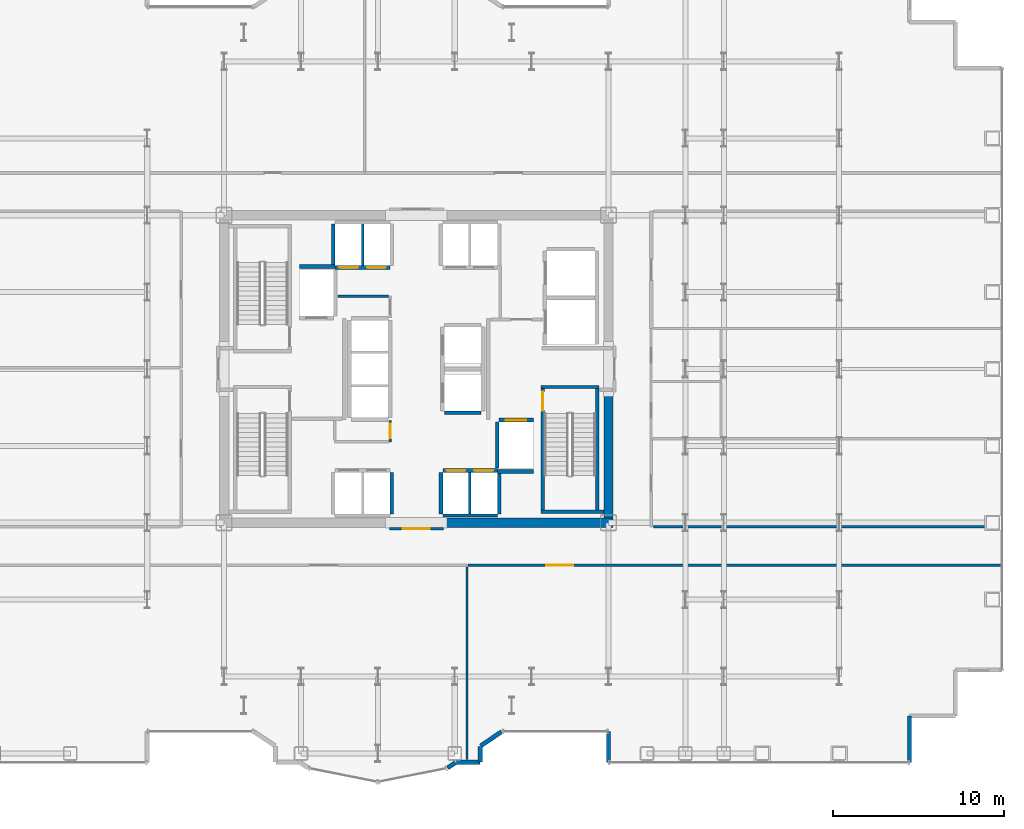
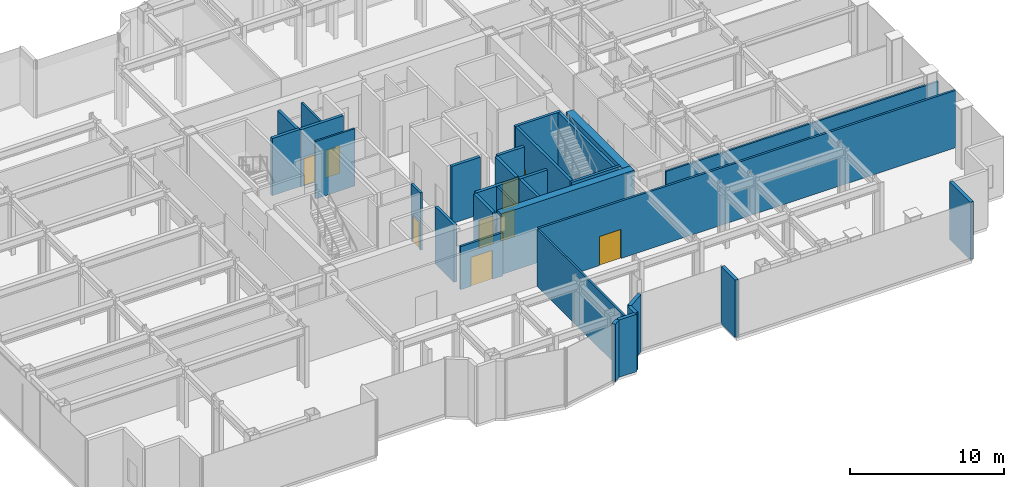
# One storey, part 21 of 27: 32 walls, 9 doors, 9 openings.
"""IFC4 building model written with IfcOpenShell, lengths in metres."""

from ifc_helpers import new_model, si_unit, direction, frame, frame_2d, origin, place, context, subcontext, project, spatial, rectangle, extrude, source, transform, mapped, material, layer, layer_set, type_object, element, fill, save


model = new_model("IFC4")

# Units and contexts
model_context = context("Model", 3, precision=1e-05, world=origin(), true_north=direction((0.0, 1.0)))
body_context = subcontext(model_context, "Body", "Model", "MODEL_VIEW")
ifc_project = project(units=[si_unit("LENGTHUNIT", "METRE"), si_unit("AREAUNIT", "SQUARE_METRE"), si_unit("VOLUMEUNIT", "CUBIC_METRE"), si_unit("PLANEANGLEUNIT", "RADIAN"), si_unit("MASSUNIT", "GRAM", prefix="KILO")], contexts=[model_context])

# Site, building, storey
site_placement = place(None, origin())
site = spatial("IfcSite", under=ifc_project, at=site_placement, CompositionType="ELEMENT")
building_placement = place(site_placement, origin())
building = spatial("IfcBuilding", under=site, at=building_placement, Name="Nefas-Gora Pilgrimage Tower", CompositionType="ELEMENT")
storey_placement = place(building_placement, frame((0.0, 0.0, 144.0)))
storey = spatial("IfcBuildingStorey", under=building, at=storey_placement, Name="L35", CompositionType="ELEMENT", Elevation=144.0)

# Walls
ifc_material_1 = material(Name="Concrete C60/75", Category="concrete")
ifc_layer_1 = layer(ifc_material_1, 0.550048828125)
ifc_layer_set_1 = layer_set([ifc_layer_1], Name="Concrete C60/75")
wall_type_1 = type_object("IfcWallType", Name="SW-CORE-550", PredefinedType="SHEAR", material=ifc_layer_set_1)
shared_shape_1 = source(origin(), body_context, "Body", "SweptSolid", [
    extrude(rectangle(XDim=9.974853515625, YDim=0.550048828125, at=frame_2d((4.9873046875, 0.0))), origin(), (0.0, 0.0, 1.0), 4.800048828125),
])
wall_1_placement = place(storey_placement, frame((1.550048828125, -9.0, 0.0), z_axis=(0.0, 0.0, 1.0), x_axis=(1.0, 0.0, 0.0)))
element("IfcWall", 1, at=wall_1_placement, inside=storey, type_object=wall_type_1, Name="L35 Core Shear Wall S-East", PredefinedType="SHEAR", context=body_context, shape_type="MappedRepresentation", body=[
    mapped(shared_shape_1, transform((0.0, 0.0, 0.0), x_axis=(1.0, 0.0, 0.0), y_axis=(0.0, 1.0, 0.0), z_axis=(0.0, 0.0, 1.0), scale=1.0)),
])
shared_shape_2 = source(origin(), body_context, "Body", "SweptSolid", [
    extrude(rectangle(XDim=7.375, YDim=0.550048828125, at=frame_2d((3.6875, 0.0))), origin(), (0.0, 0.0, 1.0), 4.800048828125),
])
wall_2_placement = place(storey_placement, frame((11.25, -8.72509765625, 0.0), z_axis=(0.0, 0.0, 1.0), x_axis=(0.0, 1.0, 0.0)))
element("IfcWall", 2, at=wall_2_placement, inside=storey, type_object=wall_type_1, Name="L35 Core Shear Wall E-South", PredefinedType="SHEAR", context=body_context, shape_type="MappedRepresentation", body=[
    mapped(shared_shape_2, transform((0.0, 0.0, 0.0), x_axis=(1.0, 0.0, 0.0), y_axis=(0.0, 1.0, 0.0), z_axis=(0.0, 0.0, 1.0), scale=1.0)),
])
ifc_material_2 = material(Name="Precast concrete C40/50", Category="concrete")
ifc_layer_2 = layer(ifc_material_2, 0.260009765625)
ifc_layer_set_2 = layer_set([ifc_layer_2], Name="Precast concrete C40/50")
wall_type_2 = type_object("IfcWallType", Name="EW-PORTAL-260", PredefinedType="SOLIDWALL", material=ifc_layer_set_2)
shared_shape_3 = source(origin(), body_context, "Body", "SweptSolid", [
    extrude(rectangle(XDim=1.800048828125, YDim=0.260009765625, at=frame_2d((0.89990234375, 0.0))), origin(), (0.0, 0.0, 1.0), 4.550048828125),
])
wall_3_placement = place(storey_placement, frame((11.25, -21.219970703125, 0.0), z_axis=(0.0, 0.0, 1.0), x_axis=(0.0, -1.0, 0.0)))
element("IfcWall", 3, at=wall_3_placement, inside=storey, type_object=wall_type_2, Name="L35 Lobe Shoulder Precast Spandrel Pier 1", PredefinedType="SOLIDWALL", context=body_context, shape_type="MappedRepresentation", body=[
    mapped(shared_shape_3, transform((0.0, 0.0, 0.0), x_axis=(1.0, 0.0, 0.0), y_axis=(0.0, 1.0, 0.0), z_axis=(0.0, 0.0, 1.0), scale=1.0)),
])
ifc_material_3 = material(Name="Precast concrete C45/55", Category="concrete")
ifc_layer_3 = layer(ifc_material_3, 0.239990234375)
ifc_layer_set_3 = layer_set([ifc_layer_3], Name="Precast concrete C45/55")
wall_type_3 = type_object("IfcWallType", Name="EW-SERR-240", PredefinedType="SHEAR", material=ifc_layer_set_3)
shared_shape_4 = source(origin(), body_context, "Body", "SweptSolid", [
    extrude(rectangle(XDim=2.699951171875, YDim=0.239990234375, at=frame_2d((1.35009765625, 0.0))), origin(), (0.0, 0.0, 1.0), 4.550048828125),
])
wall_4_placement = place(storey_placement, frame((28.8701171875, -23.02001953125, 0.0), z_axis=(0.0, 0.0, 1.0), x_axis=(0.0, 1.0, 0.0)))
element("IfcWall", 4, at=wall_4_placement, inside=storey, type_object=wall_type_3, Name="L35 Serrated Corner Shear Pier Wall 2", PredefinedType="SHEAR", context=body_context, shape_type="MappedRepresentation", body=[
    mapped(shared_shape_4, transform((0.0, 0.0, 0.0), x_axis=(1.0, 0.0, 0.0), y_axis=(0.0, 1.0, 0.0), z_axis=(0.0, 0.0, 1.0), scale=1.0)),
])
shared_shape_5 = source(origin(), body_context, "Body", "SweptSolid", [
    extrude(rectangle(XDim=1.468994140625, YDim=0.260009765625, at=frame_2d((0.734375, 0.0))), origin(), (0.0, 0.0, 1.0), 4.550048828125),
])
wall_5_placement = place(storey_placement, frame((3.773193359375, -22.0517578125, 0.0), z_axis=(0.0, 0.0, 1.0), x_axis=(0.831461760506, 0.555581983884, 0.0)))
element("IfcWall", 5, at=wall_5_placement, inside=storey, type_object=wall_type_2, Name="L35 Lobe Shoulder Precast Spandrel Pier 36", PredefinedType="SOLIDWALL", context=body_context, shape_type="MappedRepresentation", body=[
    mapped(shared_shape_5, transform((0.0, 0.0, 0.0), x_axis=(1.0, 0.0, 0.0), y_axis=(0.0, 1.0, 0.0), z_axis=(0.0, 0.0, 1.0), scale=1.0)),
])
shared_shape_6 = source(origin(), body_context, "Body", "SweptSolid", [
    extrude(rectangle(XDim=0.896728515625, YDim=0.260009765625, at=frame_2d((0.4482421875, 0.0))), origin(), (0.0, 0.0, 1.0), 4.550048828125),
])
wall_6_placement = place(storey_placement, frame((3.75, -22.991943359375, 0.0), z_axis=(0.0, 0.0, 1.0), x_axis=(0.0, 1.0, 0.0)))
element("IfcWall", 6, at=wall_6_placement, inside=storey, type_object=wall_type_2, Name="L35 Lobe Shoulder Precast Spandrel Pier 35", PredefinedType="SOLIDWALL", context=body_context, shape_type="MappedRepresentation", body=[
    mapped(shared_shape_6, transform((0.0, 0.0, 0.0), x_axis=(1.0, 0.0, 0.0), y_axis=(0.0, 1.0, 0.0), z_axis=(0.0, 0.0, 1.0), scale=1.0)),
])
shared_shape_7 = source(origin(), body_context, "Body", "SweptSolid", [
    extrude(rectangle(XDim=1.369873046875, YDim=0.260009765625, at=frame_2d((0.68505859375, 0.0))), origin(), (0.0, 0.0, 1.0), 4.550048828125),
])
wall_7_placement = place(storey_placement, frame((2.35205078125, -23.02001953125, 0.0), z_axis=(0.0, 0.0, 1.0), x_axis=(1.0, 0.0, 0.0)))
element("IfcWall", 7, at=wall_7_placement, inside=storey, type_object=wall_type_2, Name="L35 Lobe Shoulder Precast Spandrel Pier 34", PredefinedType="SOLIDWALL", context=body_context, shape_type="MappedRepresentation", body=[
    mapped(shared_shape_7, transform((0.0, 0.0, 0.0), x_axis=(1.0, 0.0, 0.0), y_axis=(0.0, 1.0, 0.0), z_axis=(0.0, 0.0, 1.0), scale=1.0)),
])
shared_shape_8 = source(origin(), body_context, "Body", "SweptSolid", [
    extrude(rectangle(XDim=0.5654296875, YDim=0.260009765625, at=frame_2d((0.28271484375, 0.0))), origin(), (0.0, 0.0, 1.0), 4.550048828125),
])
wall_8_placement = place(storey_placement, frame((1.83056640625, -23.349609375, 0.0), z_axis=(0.0, 0.0, 1.0), x_axis=(0.831651492666, 0.555297933317, 0.0)))
element("IfcWall", 8, at=wall_8_placement, inside=storey, type_object=wall_type_2, Name="L35 Lobe Shoulder Precast Spandrel Pier 33", PredefinedType="SOLIDWALL", context=body_context, shape_type="MappedRepresentation", body=[
    mapped(shared_shape_8, transform((0.0, 0.0, 0.0), x_axis=(1.0, 0.0, 0.0), y_axis=(0.0, 1.0, 0.0), z_axis=(0.0, 0.0, 1.0), scale=1.0)),
])
ifc_material_4 = material(Name="Concrete C45/55", Category="concrete")
ifc_layer_4 = layer(ifc_material_4, 0.199951171875)
ifc_layer_set_4 = layer_set([ifc_layer_4], Name="Concrete C45/55")
wall_type_4 = type_object("IfcWallType", Name="IW-STAIR-200", PredefinedType="SOLIDWALL", material=ifc_layer_set_4)
shared_shape_9 = source(origin(), body_context, "Body", "SweptSolid", [
    extrude(rectangle(XDim=3.39990234375, YDim=0.199951171875, at=frame_2d((1.699951171875, 0.0))), origin(), (0.0, 0.0, 1.0), 4.800048828125),
])
wall_9_placement = place(storey_placement, frame((7.300048828125, -1.050048828125, 0.0), z_axis=(0.0, 0.0, 1.0), x_axis=(1.0, 0.0, 0.0)))
element("IfcWall", 9, at=wall_9_placement, inside=storey, type_object=wall_type_4, Name="L35 Stairwell Shear Wall ST-02-near", PredefinedType="SOLIDWALL", context=body_context, shape_type="MappedRepresentation", body=[
    mapped(shared_shape_9, transform((0.0, 0.0, 0.0), x_axis=(1.0, 0.0, 0.0), y_axis=(0.0, 1.0, 0.0), z_axis=(0.0, 0.0, 1.0), scale=1.0)),
])
shared_shape_10 = source(origin(), body_context, "Body", "SweptSolid", [
    extrude(rectangle(XDim=3.679931640625, YDim=0.199951171875, at=frame_2d((1.83984375, 0.0))), origin(), (0.0, 0.0, 1.0), 4.800048828125),
])
wall_10_placement = place(storey_placement, frame((7.300048828125, -8.35009765625, 0.0), z_axis=(0.0, 0.0, 1.0), x_axis=(1.0, 0.0, 0.0)))
element("IfcWall", 10, at=wall_10_placement, inside=storey, type_object=wall_type_4, Name="L35 Stairwell Shear Wall ST-02-far", PredefinedType="SOLIDWALL", context=body_context, shape_type="MappedRepresentation", body=[
    mapped(shared_shape_10, transform((0.0, 0.0, 0.0), x_axis=(1.0, 0.0, 0.0), y_axis=(0.0, 1.0, 0.0), z_axis=(0.0, 0.0, 1.0), scale=1.0)),
])

# Wall, opening, door
shared_shape_11 = source(origin(), body_context, "Body", "SweptSolid", [
    extrude(rectangle(XDim=7.10009765625, YDim=0.199951171875, at=frame_2d((3.550048828125, 0.0))), origin(), (0.0, 0.0, 1.0), 4.800048828125),
])
wall_11_placement = place(storey_placement, frame((7.39990234375, -1.14990234375, 0.0), z_axis=(0.0, 0.0, 1.0), x_axis=(0.0, -1.0, 0.0)))
wall_11 = element("IfcWall", 11, at=wall_11_placement, inside=storey, type_object=wall_type_4, Name="L35 Stairwell Shear Wall ST-02-left", PredefinedType="SOLIDWALL", context=body_context, shape_type="MappedRepresentation", body=[
    mapped(shared_shape_11, transform((0.0, 0.0, 0.0), x_axis=(1.0, 0.0, 0.0), y_axis=(0.0, 1.0, 0.0), z_axis=(0.0, 0.0, 1.0), scale=1.0)),
])
opening_1_placement = place(wall_11_placement, frame((0.179931640625, 0.0, 0.0)))
opening_1 = element("IfcOpeningElement", 12, at=opening_1_placement, cuts=wall_11, Name="Opening ID-ST1", PredefinedType="OPENING", context=body_context, shape_type="SweptSolid", body=[
    extrude(rectangle(XDim=1.10009765625, YDim=2.14990234375, at=frame_2d((0.550048828125, 1.074951171875))), frame((0.0, 0.10986328125, 0.0), z_axis=(0.0, -1.0, 0.0), x_axis=(1.0, 0.0, 0.0)), (0.0, 0.0, 1.0), 0.219970703125),
])
ifc_material_5 = material(Name="Painted galvanised steel fire stair door", Category="steel")
door_type_1 = type_object("IfcDoorType", Name="DR-INT-STAIR-1100", OperationType="NOTDEFINED", PredefinedType="DOOR", material=ifc_material_5)
shared_shape_12 = source(origin(), body_context, "Body", "SweptSolid", [
    extrude(rectangle(XDim=1.10009765625, YDim=2.14990234375, at=frame_2d((0.550048828125, 1.074951171875))), frame((0.0, 0.02490234375, 0.0), z_axis=(0.0, -1.0, 0.0), x_axis=(1.0, 0.0, 0.0)), (0.0, 0.0, 1.0), 0.050048828125),
])
door_1_placement = place(opening_1_placement, origin())
door_1 = element("IfcDoor", 13, at=door_1_placement, inside=storey, type_object=door_type_1, Name="L35 Protected Exit Stair Door ST-02", OperationType="SINGLE_SWING_RIGHT", OverallHeight=2.14990234375, OverallWidth=1.10009765625, PredefinedType="DOOR", context=body_context, shape_type="MappedRepresentation", body=[
    mapped(shared_shape_12, transform((0.0, 0.0, 0.0), x_axis=(1.0, 0.0, 0.0), y_axis=(0.0, 1.0, 0.0), z_axis=(0.0, 0.0, 1.0), scale=1.0)),
])
fill(opening_1, door_1)

# Wall
wall_12_placement = place(storey_placement, frame((10.60009765625, -1.14990234375, 0.0), z_axis=(0.0, 0.0, 1.0), x_axis=(0.0, -1.0, 0.0)))
element("IfcWall", 14, at=wall_12_placement, inside=storey, type_object=wall_type_4, Name="L35 Stairwell Shear Wall ST-02-right", PredefinedType="SOLIDWALL", context=body_context, shape_type="MappedRepresentation", body=[
    mapped(shared_shape_11, transform((0.0, 0.0, 0.0), x_axis=(1.0, 0.0, 0.0), y_axis=(0.0, 1.0, 0.0), z_axis=(0.0, 0.0, 1.0), scale=1.0)),
])

# Wall, opening, door
ifc_material_6 = material(Name="Concrete C40/50", Category="concrete")
ifc_layer_5 = layer(ifc_material_6, 0.219970703125)
ifc_layer_set_5 = layer_set([ifc_layer_5], Name="Concrete C40/50")
wall_type_5 = type_object("IfcWallType", Name="IW-SHAFT-220", PredefinedType="SOLIDWALL", material=ifc_layer_set_5)
shared_shape_13 = source(origin(), body_context, "Body", "SweptSolid", [
    extrude(rectangle(XDim=2.0, YDim=0.219970703125, at=frame_2d((1.0, 0.0))), origin(), (0.0, 0.0, 1.0), 4.534912109375),
])
wall_13_placement = place(storey_placement, frame((6.85009765625, -2.989990234375, 0.0), z_axis=(0.0, 0.0, 1.0), x_axis=(-1.0, 0.0, 0.0)))
wall_13 = element("IfcWall", 15, at=wall_13_placement, inside=storey, type_object=wall_type_5, Name="L35 Hoistway Wall FFL-02-N", PredefinedType="SOLIDWALL", context=body_context, shape_type="MappedRepresentation", body=[
    mapped(shared_shape_13, transform((0.0, 0.0, 0.0), x_axis=(1.0, 0.0, 0.0), y_axis=(0.0, 1.0, 0.0), z_axis=(0.0, 0.0, 1.0), scale=1.0)),
])
opening_2_placement = place(wall_13_placement, frame((0.39990234375, 0.0, 0.0)))
opening_2 = element("IfcOpeningElement", 16, at=opening_2_placement, cuts=wall_13, Name="Opening LD-FF", PredefinedType="OPENING", context=body_context, shape_type="SweptSolid", body=[
    extrude(rectangle(XDim=1.199951171875, YDim=2.199951171875, at=frame_2d((0.60009765625, 1.10009765625))), frame((0.0, 0.119873046875, 0.0), z_axis=(0.0, -1.0, 0.0), x_axis=(1.0, 0.0, 0.0)), (0.0, 0.0, 1.0), 0.239990234375),
])
ifc_material_7 = material(Name="Fire-service sliding lift landing door")
door_type_2 = type_object("IfcDoorType", Name="DR-LIFT-FSAE-1200", OperationType="SLIDING_TO_LEFT", PredefinedType="DOOR", material=ifc_material_7)
shared_shape_14 = source(origin(), body_context, "Body", "SweptSolid", [
    extrude(rectangle(XDim=1.199951171875, YDim=2.199951171875, at=frame_2d((0.60009765625, 1.10009765625))), frame((0.0, 0.02490234375, 0.0), z_axis=(0.0, -1.0, 0.0), x_axis=(1.0, 0.0, 0.0)), (0.0, 0.0, 1.0), 0.050048828125),
])
door_2_placement = place(opening_2_placement, origin())
door_2 = element("IfcDoor", 17, at=door_2_placement, inside=storey, type_object=door_type_2, Name="L35 Sliding Lift Landing Door FFL-02", OperationType="SLIDING_TO_LEFT", OverallHeight=2.199951171875, OverallWidth=1.199951171875, PredefinedType="DOOR", context=body_context, shape_type="MappedRepresentation", body=[
    mapped(shared_shape_14, transform((0.0, 0.0, 0.0), x_axis=(1.0, 0.0, 0.0), y_axis=(0.0, 1.0, 0.0), z_axis=(0.0, 0.0, 1.0), scale=1.0)),
])
fill(opening_2, door_2)

# Wall
shared_shape_15 = source(origin(), body_context, "Body", "SweptSolid", [
    extrude(rectangle(XDim=2.679931640625, YDim=0.219970703125, at=frame_2d((1.33984375, 0.0))), origin(), (0.0, 0.0, 1.0), 4.534912109375),
])
wall_14_placement = place(storey_placement, frame((4.739990234375, -3.110107421875, 0.0), z_axis=(0.0, 0.0, 1.0), x_axis=(0.0, -1.0, 0.0)))
element("IfcWall", 18, at=wall_14_placement, inside=storey, type_object=wall_type_5, Name="L35 Hoistway Wall FFL-02-W", PredefinedType="SOLIDWALL", context=body_context, shape_type="MappedRepresentation", body=[
    mapped(shared_shape_15, transform((0.0, 0.0, 0.0), x_axis=(1.0, 0.0, 0.0), y_axis=(0.0, 1.0, 0.0), z_axis=(0.0, 0.0, 1.0), scale=1.0)),
])

# Wall, openings, doors
shared_shape_16 = source(origin(), body_context, "Body", "SweptSolid", [
    extrude(rectangle(XDim=3.199951171875, YDim=0.219970703125, at=frame_2d((1.60009765625, 0.0))), origin(), (0.0, 0.0, 1.0), 4.534912109375),
])
wall_15_placement = place(storey_placement, frame((-4.75, 5.93994140625, 0.0), z_axis=(0.0, 0.0, 1.0), x_axis=(1.0, 0.0, 0.0)))
wall_15 = element("IfcWall", 19, at=wall_15_placement, inside=storey, type_object=wall_type_5, Name="L35 Hoistway Wall PL1-W-S", PredefinedType="SOLIDWALL", context=body_context, shape_type="MappedRepresentation", body=[
    mapped(shared_shape_16, transform((0.0, 0.0, 0.0), x_axis=(1.0, 0.0, 0.0), y_axis=(0.0, 1.0, 0.0), z_axis=(0.0, 0.0, 1.0), scale=1.0)),
])
opening_3_placement = place(wall_15_placement, frame((0.25, 0.0, 0.0)))
opening_3 = element("IfcOpeningElement", 20, at=opening_3_placement, cuts=wall_15, Name="Opening LD-01", PredefinedType="OPENING", context=body_context, shape_type="SweptSolid", body=[
    extrude(rectangle(XDim=1.10009765625, YDim=2.199951171875, at=frame_2d((0.550048828125, 1.10009765625))), frame((0.0, 0.119873046875, 0.0), z_axis=(0.0, -1.0, 0.0), x_axis=(1.0, 0.0, 0.0)), (0.0, 0.0, 1.0), 0.239990234375),
])
opening_4_placement = place(wall_15_placement, frame((1.875, 0.0, 0.0)))
opening_4 = element("IfcOpeningElement", 21, at=opening_4_placement, cuts=wall_15, Name="Opening LD-01", PredefinedType="OPENING", context=body_context, shape_type="SweptSolid", body=[
    extrude(rectangle(XDim=1.10009765625, YDim=2.199951171875, at=frame_2d((0.550048828125, 1.10009765625))), frame((0.0, 0.119873046875, 0.0), z_axis=(0.0, -1.0, 0.0), x_axis=(1.0, 0.0, 0.0)), (0.0, 0.0, 1.0), 0.239990234375),
])
ifc_material_8 = material(Name="Brushed stainless sliding lift landing door")
door_type_3 = type_object("IfcDoorType", Name="DR-LIFT-PASS-1100", OperationType="DOUBLE_DOOR_SLIDING", PredefinedType="DOOR", material=ifc_material_8)
shared_shape_17 = source(origin(), body_context, "Body", "SweptSolid", [
    extrude(rectangle(XDim=1.10009765625, YDim=2.199951171875, at=frame_2d((0.550048828125, 1.10009765625))), frame((0.0, 0.02490234375, 0.0), z_axis=(0.0, -1.0, 0.0), x_axis=(1.0, 0.0, 0.0)), (0.0, 0.0, 1.0), 0.050048828125),
])
door_3_placement = place(opening_3_placement, origin())
door_3 = element("IfcDoor", 22, at=door_3_placement, inside=storey, type_object=door_type_3, Name="L35 Sliding Lift Landing Door PL1-01", OperationType="DOUBLE_DOOR_SLIDING", OverallHeight=2.199951171875, OverallWidth=1.10009765625, PredefinedType="DOOR", context=body_context, shape_type="MappedRepresentation", body=[
    mapped(shared_shape_17, transform((0.0, 0.0, 0.0), x_axis=(1.0, 0.0, 0.0), y_axis=(0.0, 1.0, 0.0), z_axis=(0.0, 0.0, 1.0), scale=1.0)),
])
fill(opening_3, door_3)
door_4_placement = place(opening_4_placement, origin())
door_4 = element("IfcDoor", 23, at=door_4_placement, inside=storey, type_object=door_type_3, Name="L35 Sliding Lift Landing Door PL1-02", OperationType="DOUBLE_DOOR_SLIDING", OverallHeight=2.199951171875, OverallWidth=1.10009765625, PredefinedType="DOOR", context=body_context, shape_type="MappedRepresentation", body=[
    mapped(shared_shape_17, transform((0.0, 0.0, 0.0), x_axis=(1.0, 0.0, 0.0), y_axis=(0.0, 1.0, 0.0), z_axis=(0.0, 0.0, 1.0), scale=1.0)),
])
fill(opening_4, door_4)

wall_16_placement = place(storey_placement, frame((4.75, -5.93994140625, 0.0), z_axis=(0.0, 0.0, 1.0), x_axis=(-1.0, 0.0, 0.0)))
wall_16 = element("IfcWall", 24, at=wall_16_placement, inside=storey, type_object=wall_type_5, Name="L35 Hoistway Wall PL2-E-N", PredefinedType="SOLIDWALL", context=body_context, shape_type="MappedRepresentation", body=[
    mapped(shared_shape_16, transform((0.0, 0.0, 0.0), x_axis=(1.0, 0.0, 0.0), y_axis=(0.0, 1.0, 0.0), z_axis=(0.0, 0.0, 1.0), scale=1.0)),
])
opening_5_placement = place(wall_16_placement, frame((1.875, 0.0, 0.0)))
opening_5 = element("IfcOpeningElement", 25, at=opening_5_placement, cuts=wall_16, Name="Opening LD-01", PredefinedType="OPENING", context=body_context, shape_type="SweptSolid", body=[
    extrude(rectangle(XDim=1.10009765625, YDim=2.199951171875, at=frame_2d((0.550048828125, 1.10009765625))), frame((0.0, 0.119873046875, 0.0), z_axis=(0.0, -1.0, 0.0), x_axis=(1.0, 0.0, 0.0)), (0.0, 0.0, 1.0), 0.239990234375),
])
opening_6_placement = place(wall_16_placement, frame((0.25, 0.0, 0.0)))
opening_6 = element("IfcOpeningElement", 26, at=opening_6_placement, cuts=wall_16, Name="Opening LD-01", PredefinedType="OPENING", context=body_context, shape_type="SweptSolid", body=[
    extrude(rectangle(XDim=1.10009765625, YDim=2.199951171875, at=frame_2d((0.550048828125, 1.10009765625))), frame((0.0, 0.119873046875, 0.0), z_axis=(0.0, -1.0, 0.0), x_axis=(1.0, 0.0, 0.0)), (0.0, 0.0, 1.0), 0.239990234375),
])
door_5_placement = place(opening_5_placement, origin())
door_5 = element("IfcDoor", 27, at=door_5_placement, inside=storey, type_object=door_type_3, Name="L35 Sliding Lift Landing Door PL2-03", OperationType="DOUBLE_DOOR_SLIDING", OverallHeight=2.199951171875, OverallWidth=1.10009765625, PredefinedType="DOOR", context=body_context, shape_type="MappedRepresentation", body=[
    mapped(shared_shape_17, transform((0.0, 0.0, 0.0), x_axis=(1.0, 0.0, 0.0), y_axis=(0.0, 1.0, 0.0), z_axis=(0.0, 0.0, 1.0), scale=1.0)),
])
fill(opening_5, door_5)
door_6_placement = place(opening_6_placement, origin())
door_6 = element("IfcDoor", 28, at=door_6_placement, inside=storey, type_object=door_type_3, Name="L35 Sliding Lift Landing Door PL2-04", OperationType="DOUBLE_DOOR_SLIDING", OverallHeight=2.199951171875, OverallWidth=1.10009765625, PredefinedType="DOOR", context=body_context, shape_type="MappedRepresentation", body=[
    mapped(shared_shape_17, transform((0.0, 0.0, 0.0), x_axis=(1.0, 0.0, 0.0), y_axis=(0.0, 1.0, 0.0), z_axis=(0.0, 0.0, 1.0), scale=1.0)),
])
fill(opening_6, door_6)

# Walls
ifc_material_9 = material(Name="Gypsum acoustic stud partition")
ifc_layer_6 = layer(ifc_material_9, 0.159912109375)
ifc_layer_set_6 = layer_set([ifc_layer_6], Name="Gypsum acoustic stud partition")
wall_type_6 = type_object("IfcWallType", Name="IW-CORR-160", PredefinedType="PARTITIONING", material=ifc_layer_set_6)
shared_shape_18 = source(origin(), body_context, "Body", "SweptSolid", [
    extrude(rectangle(XDim=3.199951171875, YDim=0.159912109375, at=frame_2d((1.60009765625, 0.0))), origin(), (0.0, 0.0, 1.0), 3.425048828125),
])
wall_17_placement = place(storey_placement, frame((1.550048828125, -8.580078125, 0.0), z_axis=(0.0, 0.0, 1.0), x_axis=(1.0, 0.0, 0.0)))
element("IfcWall", 29, at=wall_17_placement, inside=storey, type_object=wall_type_6, Name="L35 Hoistway Wall PL2-E-S", PredefinedType="PARTITIONING", context=body_context, shape_type="MappedRepresentation", body=[
    mapped(shared_shape_18, transform((0.0, 0.0, 0.0), x_axis=(1.0, 0.0, 0.0), y_axis=(0.0, 1.0, 0.0), z_axis=(0.0, 0.0, 1.0), scale=1.0)),
])
shared_shape_19 = source(origin(), body_context, "Body", "SweptSolid", [
    extrude(rectangle(XDim=2.429931640625, YDim=0.219970703125, at=frame_2d((1.21484375, 0.0))), origin(), (0.0, 0.0, 1.0), 4.534912109375),
])
for number, where, z_axis, x_axis, name in (
    (30, (-4.860107421875, 8.489990234375, 0.0), (0.0, 0.0, 1.0), (0.0, -1.0, 0.0), "L35 Hoistway Wall PL1-W-W"),
    (31, (-1.43994140625, -8.489990234375, 0.0), (0.0, 0.0, 1.0), (0.0, 1.0, 0.0), "L35 Hoistway Wall PL2-W-E"),
    (32, (1.43994140625, -6.06005859375, 0.0), (0.0, 0.0, 1.0), (0.0, -1.0, 0.0), "L35 Hoistway Wall PL2-E-W"),
    (33, (4.860107421875, -8.489990234375, 0.0), (0.0, 0.0, 1.0), (0.0, 1.0, 0.0), "L35 Hoistway Wall PL2-E-E"),
):
    element("IfcWall", number, at=place(storey_placement, frame(where, z_axis=z_axis, x_axis=x_axis)), inside=storey, type_object=wall_type_5, Name=name, PredefinedType="SOLIDWALL", context=body_context, shape_type="MappedRepresentation", body=[
        mapped(shared_shape_19, transform((0.0, 0.0, 0.0), x_axis=(1.0, 0.0, 0.0), y_axis=(0.0, 1.0, 0.0), z_axis=(0.0, 0.0, 1.0), scale=1.0)),
    ])
ifc_material_10 = material(Name="Gypsum twin-stud partition")
ifc_layer_7 = layer(ifc_material_10, 0.139892578125)
ifc_layer_set_7 = layer_set([ifc_layer_7], Name="Gypsum twin-stud partition")
wall_type_7 = type_object("IfcWallType", Name="IW-UNIT-140", PredefinedType="PARTITIONING", material=ifc_layer_set_7)
shared_shape_20 = source(origin(), body_context, "Body", "SweptSolid", [
    extrude(rectangle(XDim=2.429931640625, YDim=0.139892578125, at=frame_2d((1.21484375, 0.0))), origin(), (0.0, 0.0, 1.0), 4.534912109375),
])
for number, where, z_axis, x_axis, name in (
    (34, (-3.125, 6.06005859375, 0.0), (0.0, 0.0, 1.0), (0.0, 1.0, 0.0), "L35 Hoistway Wall PL1-W-DIV"),
    (35, (3.125, -8.489990234375, 0.0), (0.0, 0.0, 1.0), (0.0, 1.0, 0.0), "L35 Hoistway Wall PL2-E-DIV"),
):
    element("IfcWall", number, at=place(storey_placement, frame(where, z_axis=z_axis, x_axis=x_axis)), inside=storey, type_object=wall_type_7, Name=name, PredefinedType="PARTITIONING", context=body_context, shape_type="MappedRepresentation", body=[
        mapped(shared_shape_20, transform((0.0, 0.0, 0.0), x_axis=(1.0, 0.0, 0.0), y_axis=(0.0, 1.0, 0.0), z_axis=(0.0, 0.0, 1.0), scale=1.0)),
    ])
shared_shape_21 = source(origin(), body_context, "Body", "SweptSolid", [
    extrude(rectangle(XDim=2.130126953125, YDim=0.219970703125, at=frame_2d((1.06494140625, 0.0))), origin(), (0.0, 0.0, 1.0), 4.534912109375),
])
wall_18_placement = place(storey_placement, frame((1.659912109375, -2.56005859375, 0.0), z_axis=(0.0, 0.0, 1.0), x_axis=(1.0, 0.0, 0.0)))
element("IfcWall", 36, at=wall_18_placement, inside=storey, type_object=wall_type_5, Name="L35 Hoistway Wall OBS-01-S", PredefinedType="SOLIDWALL", context=body_context, shape_type="MappedRepresentation", body=[
    mapped(shared_shape_21, transform((0.0, 0.0, 0.0), x_axis=(1.0, 0.0, 0.0), y_axis=(0.0, 1.0, 0.0), z_axis=(0.0, 0.0, 1.0), scale=1.0)),
])
shared_shape_22 = source(origin(), body_context, "Body", "SweptSolid", [
    extrude(rectangle(XDim=2.09521484375, YDim=0.219970703125, at=frame_2d((1.047607421875, 0.0))), origin(), (0.0, 0.0, 1.0), 4.534912109375),
])
for number, where, z_axis, x_axis, name in (
    (37, (-6.85009765625, 6.0, 0.0), (0.0, 0.0, 1.0), (1.0, 0.0, 0.0), "L35 Riser Shaft Wall 1"),
    (38, (4.7548828125, -6.0, 0.0), (0.0, 0.0, 1.0), (1.0, 0.0, 0.0), "L35 Riser Shaft Wall 2"),
):
    element("IfcWall", number, at=place(storey_placement, frame(where, z_axis=z_axis, x_axis=x_axis)), inside=storey, type_object=wall_type_5, Name=name, PredefinedType="SOLIDWALL", context=body_context, shape_type="MappedRepresentation", body=[
        mapped(shared_shape_22, transform((0.0, 0.0, 0.0), x_axis=(1.0, 0.0, 0.0), y_axis=(0.0, 1.0, 0.0), z_axis=(0.0, 0.0, 1.0), scale=1.0)),
    ])

# Wall, opening, door
shared_shape_23 = source(origin(), body_context, "Body", "SweptSolid", [
    extrude(rectangle(XDim=3.16015625, YDim=0.159912109375, at=frame_2d((1.580078125, 0.0))), origin(), (0.0, 0.0, 1.0), 3.425048828125),
])
wall_19_placement = place(storey_placement, frame((-1.580078125, -9.35009765625, 0.0), z_axis=(0.0, 0.0, 1.0), x_axis=(1.0, 0.0, 0.0)))
wall_19 = element("IfcWall", 39, at=wall_19_placement, inside=storey, type_object=wall_type_6, Name="L35 Central Lift Lobby South Portal Wall 14", PredefinedType="PARTITIONING", context=body_context, shape_type="MappedRepresentation", body=[
    mapped(shared_shape_23, transform((0.0, 0.0, 0.0), x_axis=(1.0, 0.0, 0.0), y_axis=(0.0, 1.0, 0.0), z_axis=(0.0, 0.0, 1.0), scale=1.0)),
])
opening_7_placement = place(wall_19_placement, frame((0.780029296875, 0.0, 0.0)))
opening_7 = element("IfcOpeningElement", 40, at=opening_7_placement, cuts=wall_19, Name="Opening ID-HL1", PredefinedType="OPENING", context=body_context, shape_type="SweptSolid", body=[
    extrude(rectangle(XDim=1.60009765625, YDim=2.300048828125, at=frame_2d((0.800048828125, 1.14990234375))), frame((0.0, 0.08984375, 0.0), z_axis=(0.0, -1.0, 0.0), x_axis=(1.0, 0.0, 0.0)), (0.0, 0.0, 1.0), 0.179931640625),
])
ifc_material_11 = material(Name="Double acoustic timber assembly hall door", Category="wood")
door_type_4 = type_object("IfcDoorType", Name="DR-INT-HALL-1600", OperationType="DOUBLE_DOOR_SINGLE_SWING", PredefinedType="DOOR", material=ifc_material_11)
shared_shape_24 = source(origin(), body_context, "Body", "SweptSolid", [
    extrude(rectangle(XDim=1.60009765625, YDim=2.300048828125, at=frame_2d((0.800048828125, 1.14990234375))), frame((0.0, 0.02490234375, 0.0), z_axis=(0.0, -1.0, 0.0), x_axis=(1.0, 0.0, 0.0)), (0.0, 0.0, 1.0), 0.050048828125),
])
door_7_placement = place(opening_7_placement, origin())
door_7 = element("IfcDoor", 41, at=door_7_placement, inside=storey, type_object=door_type_4, Name="L35 Central Lift Lobby South Portal Door 5", OperationType="DOUBLE_DOOR_SINGLE_SWING", OverallHeight=2.300048828125, OverallWidth=1.60009765625, PredefinedType="DOOR", context=body_context, shape_type="MappedRepresentation", body=[
    mapped(shared_shape_24, transform((0.0, 0.0, 0.0), x_axis=(1.0, 0.0, 0.0), y_axis=(0.0, 1.0, 0.0), z_axis=(0.0, 0.0, 1.0), scale=1.0)),
])
fill(opening_7, door_7)

shared_shape_25 = source(origin(), body_context, "Body", "SweptSolid", [
    extrude(rectangle(XDim=1.25, YDim=0.159912109375, at=frame_2d((0.625, 0.0))), origin(), (0.0, 0.0, 1.0), 4.534912109375),
])
wall_20_placement = place(storey_placement, frame((-1.52001953125, -4.260009765625, 0.0), z_axis=(0.0, 0.0, 1.0), x_axis=(0.0, 1.0, 0.0)))
wall_20 = element("IfcWall", 42, at=wall_20_placement, inside=storey, type_object=wall_type_6, Name="L35 Pilgrim Baggage and Gear Vault Wall 18", PredefinedType="PARTITIONING", context=body_context, shape_type="MappedRepresentation", body=[
    mapped(shared_shape_25, transform((0.0, 0.0, 0.0), x_axis=(1.0, 0.0, 0.0), y_axis=(0.0, 1.0, 0.0), z_axis=(0.0, 0.0, 1.0), scale=1.0)),
])
opening_8_placement = place(wall_20_placement, frame((0.199951171875, 0.0, 0.0)))
opening_8 = element("IfcOpeningElement", 43, at=opening_8_placement, cuts=wall_20, Name="Opening ID-BT1", PredefinedType="OPENING", context=body_context, shape_type="SweptSolid", body=[
    extrude(rectangle(XDim=0.85009765625, YDim=2.10009765625, at=frame_2d((0.425048828125, 1.050048828125))), frame((0.0, 0.08984375, 0.0), z_axis=(0.0, -1.0, 0.0), x_axis=(1.0, 0.0, 0.0)), (0.0, 0.0, 1.0), 0.179931640625),
])
ifc_material_12 = material(Name="Moisture-resistant fire-rated timber door", Category="wood")
door_type_5 = type_object("IfcDoorType", Name="DR-INT-BATH-850", OperationType="NOTDEFINED", PredefinedType="DOOR", material=ifc_material_12)
shared_shape_26 = source(origin(), body_context, "Body", "SweptSolid", [
    extrude(rectangle(XDim=0.85009765625, YDim=2.10009765625, at=frame_2d((0.425048828125, 1.050048828125))), frame((0.0, 0.02490234375, 0.0), z_axis=(0.0, -1.0, 0.0), x_axis=(1.0, 0.0, 0.0)), (0.0, 0.0, 1.0), 0.050048828125),
])
door_8_placement = place(opening_8_placement, origin())
door_8 = element("IfcDoor", 44, at=door_8_placement, inside=storey, type_object=door_type_5, Name="L35 Pilgrim Baggage and Gear Vault Door 7", OperationType="SINGLE_SWING_LEFT", OverallHeight=2.10009765625, OverallWidth=0.85009765625, PredefinedType="DOOR", context=body_context, shape_type="MappedRepresentation", body=[
    mapped(shared_shape_26, transform((0.0, 0.0, 0.0), x_axis=(1.0, 0.0, 0.0), y_axis=(0.0, 1.0, 0.0), z_axis=(0.0, 0.0, 1.0), scale=1.0)),
])
fill(opening_8, door_8)

# Wall
shared_shape_27 = source(origin(), body_context, "Body", "SweptSolid", [
    extrude(rectangle(XDim=2.9501953125, YDim=0.139892578125, at=frame_2d((1.47509765625, 0.0))), origin(), (0.0, 0.0, 1.0), 4.534912109375),
])
wall_21_placement = place(storey_placement, frame((-4.590087890625, 4.25, 0.0), z_axis=(0.0, 0.0, 1.0), x_axis=(1.0, 0.0, 0.0)))
element("IfcWall", 45, at=wall_21_placement, inside=storey, type_object=wall_type_7, Name="L35 Housekeeping and Linen Store Partition Wall 17", PredefinedType="PARTITIONING", context=body_context, shape_type="MappedRepresentation", body=[
    mapped(shared_shape_27, transform((0.0, 0.0, 0.0), x_axis=(1.0, 0.0, 0.0), y_axis=(0.0, 1.0, 0.0), z_axis=(0.0, 0.0, 1.0), scale=1.0)),
])

# Wall, opening, door
shared_shape_28 = source(origin(), body_context, "Body", "SweptSolid", [
    extrude(rectangle(XDim=31.27001953125, YDim=0.159912109375, at=frame_2d((15.635009765625, 0.0))), origin(), (0.0, 0.0, 1.0), 4.534912109375),
])
wall_22_placement = place(storey_placement, frame((3.02001953125, -11.47998046875, 0.0), z_axis=(0.0, 0.0, 1.0), x_axis=(1.0, 0.0, 0.0)))
wall_22 = element("IfcWall", 46, at=wall_22_placement, inside=storey, type_object=wall_type_6, Name="L35 Sky Sanctuary Prayer Hall Partition Wall 26", PredefinedType="PARTITIONING", context=body_context, shape_type="MappedRepresentation", body=[
    mapped(shared_shape_28, transform((0.0, 0.0, 0.0), x_axis=(1.0, 0.0, 0.0), y_axis=(0.0, 1.0, 0.0), z_axis=(0.0, 0.0, 1.0), scale=1.0)),
])
opening_9_placement = place(wall_22_placement, frame((4.580078125, 0.0, 0.0)))
opening_9 = element("IfcOpeningElement", 47, at=opening_9_placement, cuts=wall_22, Name="Opening ID-HL1", PredefinedType="OPENING", context=body_context, shape_type="SweptSolid", body=[
    extrude(rectangle(XDim=1.60009765625, YDim=2.300048828125, at=frame_2d((0.800048828125, 1.14990234375))), frame((0.0, 0.08984375, 0.0), z_axis=(0.0, -1.0, 0.0), x_axis=(1.0, 0.0, 0.0)), (0.0, 0.0, 1.0), 0.179931640625),
])
door_9_placement = place(opening_9_placement, origin())
door_9 = element("IfcDoor", 48, at=door_9_placement, inside=storey, type_object=door_type_4, Name="L35 Sky Sanctuary Prayer Hall Door 11", OperationType="DOUBLE_DOOR_SINGLE_SWING", OverallHeight=2.300048828125, OverallWidth=1.60009765625, PredefinedType="DOOR", context=body_context, shape_type="MappedRepresentation", body=[
    mapped(shared_shape_24, transform((0.0, 0.0, 0.0), x_axis=(1.0, 0.0, 0.0), y_axis=(0.0, 1.0, 0.0), z_axis=(0.0, 0.0, 1.0), scale=1.0)),
])
fill(opening_9, door_9)

# Walls
shared_shape_29 = source(origin(), body_context, "Body", "SweptSolid", [
    extrude(rectangle(XDim=11.25, YDim=0.139892578125, at=frame_2d((5.625, 0.0))), origin(), (0.0, 0.0, 1.0), 4.534912109375),
])
wall_23_placement = place(storey_placement, frame((2.969970703125, -22.85009765625, 0.0), z_axis=(0.0, 0.0, 1.0), x_axis=(0.0, 1.0, 0.0)))
element("IfcWall", 49, at=wall_23_placement, inside=storey, type_object=wall_type_7, Name="L35 Highland Coffee and Tea Refectory Partition Wall 25", PredefinedType="PARTITIONING", context=body_context, shape_type="MappedRepresentation", body=[
    mapped(shared_shape_29, transform((0.0, 0.0, 0.0), x_axis=(1.0, 0.0, 0.0), y_axis=(0.0, 1.0, 0.0), z_axis=(0.0, 0.0, 1.0), scale=1.0)),
])
shared_shape_30 = source(origin(), body_context, "Body", "SweptSolid", [
    extrude(rectangle(XDim=20.419921875, YDim=0.139892578125, at=frame_2d((10.2099609375, 0.0))), origin(), (0.0, 0.0, 1.0), 3.875),
])
wall_24_placement = place(storey_placement, frame((13.8701171875, -9.22998046875, 0.0), z_axis=(0.0, 0.0, 1.0), x_axis=(1.0, 0.0, 0.0)))
element("IfcWall", 50, at=wall_24_placement, inside=storey, type_object=wall_type_7, Name="L35 Meditation Gallery Lounge Partition Wall 42", PredefinedType="PARTITIONING", context=body_context, shape_type="MappedRepresentation", body=[
    mapped(shared_shape_30, transform((0.0, 0.0, 0.0), x_axis=(1.0, 0.0, 0.0), y_axis=(0.0, 1.0, 0.0), z_axis=(0.0, 0.0, 1.0), scale=1.0)),
])

save(model, "model.ifc")
